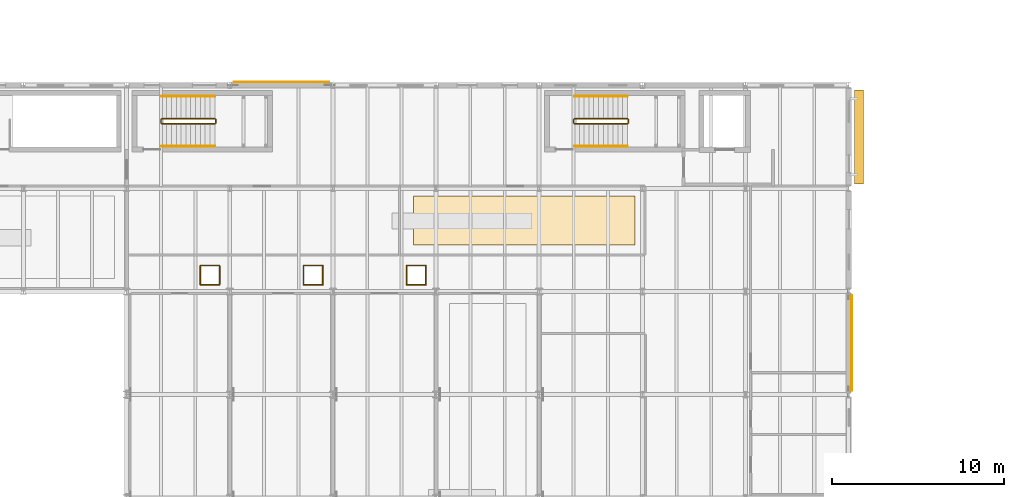
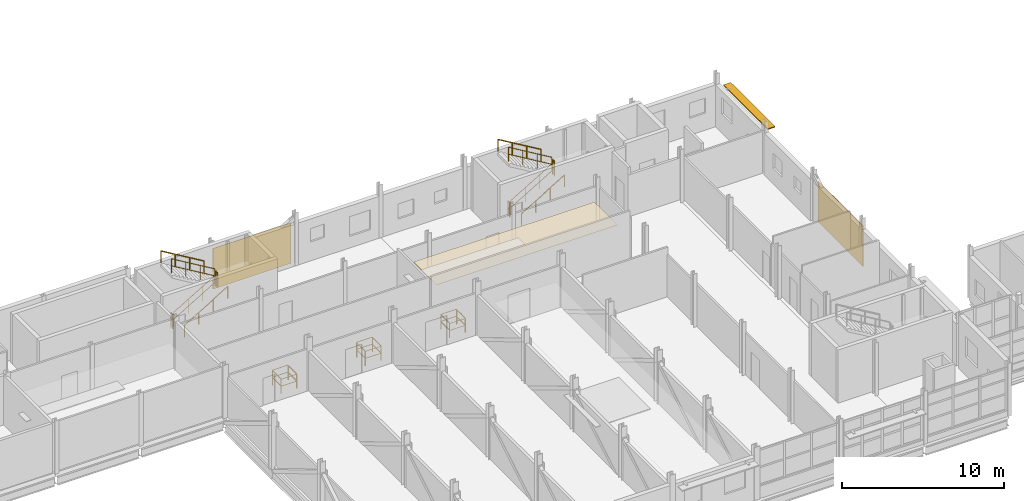
# One storey, part 87 of 92: 24 railings, 3 coverings, 1 shading device.
"""IFC4 building model written with IfcOpenShell, lengths in metres."""

from ifc_helpers import new_model, si_unit, direction, frame, origin, origin_2d, place, context, subcontext, project, spatial, polyline, rectangle, circle, outline, extrude, material, layer, layer_set, type_object, element, save


model = new_model("IFC4")

# Units and contexts
model_context = context("Model", 3, precision=1e-05, world=origin(), true_north=direction((0.0, 1.0)))
body_context = subcontext(model_context, "Body", "Model", "MODEL_VIEW")
ifc_project = project(units=[si_unit("LENGTHUNIT", "METRE"), si_unit("AREAUNIT", "SQUARE_METRE"), si_unit("VOLUMEUNIT", "CUBIC_METRE"), si_unit("PLANEANGLEUNIT", "RADIAN"), si_unit("MASSUNIT", "GRAM", prefix="KILO")], contexts=[model_context])

# Site, building, storey
site_placement = place(None, origin())
site = spatial("IfcSite", under=ifc_project, at=site_placement, CompositionType="ELEMENT")
building_placement = place(site_placement, origin())
building = spatial("IfcBuilding", under=site, at=building_placement, Name="Siltcreek Boulevard Central Fire Station", CompositionType="ELEMENT")
storey_placement = place(building_placement, frame((0.0, 0.0, 6.0)))
storey = spatial("IfcBuildingStorey", under=building, at=storey_placement, Name="L02", CompositionType="ELEMENT", Elevation=6.0)

# Coverings
ifc_material_1 = material(Name="Mineral-fiber acoustic ceiling tile", Category="gypsum")
ifc_layer_1 = layer(ifc_material_1, 0.02490234375, Name="Mineral-fiber acoustic ceiling tile")
ifc_layer_set_1 = layer_set([ifc_layer_1], Name="Mineral-fiber acoustic ceiling tile")
covering_type_1 = type_object("IfcCoveringType", Name="COV_CEIL_ACT", PredefinedType="CEILING", material=ifc_layer_set_1)
covering_1_placement = place(storey_placement, frame((0.0, 0.0, 2.419921875)))
element("IfcCovering", 1, at=covering_1_placement, inside=storey, type_object=covering_type_1, Name="L02 Company Tactical Training Room acoustic ceiling ACT-015", PredefinedType="CEILING", context=body_context, shape_type="SweptSolid", body=[
    extrude(outline(polyline([(82.699951171875, 44.699951171875), (95.580078125, 44.699951171875), (95.580078125, 47.550048828125), (82.699951171875, 47.550048828125), (82.699951171875, 44.699951171875)])), origin(), (0.0, 0.0, 1.0), 0.025146484375),
])
ifc_material_2 = material(Name="Crisp white ribbed aluminum facade panel", Category="aluminium")
ifc_layer_2 = layer(ifc_material_2, 0.0400390625, Name="Crisp white ribbed aluminum facade panel")
ifc_layer_set_2 = layer_set([ifc_layer_2], Name="Crisp white ribbed aluminum facade panel")
covering_type_2 = type_object("IfcCoveringType", Name="COV_CLAD_WHITE", PredefinedType="CLADDING", material=ifc_layer_set_2)
covering_2_placement = place(storey_placement, frame((75.0, 54.177978515625, 0.0498046875), z_axis=(0.0, 0.0, 1.0), x_axis=(-1.0, 0.0, 0.0)))
element("IfcCovering", 2, at=covering_2_placement, inside=storey, type_object=covering_type_2, Name="L02 V2 ventilated facade cladding panel CL-004", PredefinedType="CLADDING", context=body_context, shape_type="SweptSolid", body=[
    extrude(rectangle(XDim=5.550048828125, YDim=0.0400390625, at=origin_2d()), origin(), (0.0, 0.0, 1.0), 3.052978515625),
])
covering_3_placement = place(storey_placement, frame((108.177978515625, 39.0, 0.05029296875), z_axis=(0.0, 0.0, 1.0), x_axis=(0.0, 1.0, 0.0)))
element("IfcCovering", 3, at=covering_3_placement, inside=storey, type_object=covering_type_2, Name="L02 V2 ventilated facade cladding panel CL-005", PredefinedType="CLADDING", context=body_context, shape_type="SweptSolid", body=[
    extrude(rectangle(XDim=5.550048828125, YDim=0.0400390625, at=origin_2d()), origin(), (0.0, 0.0, 1.0), 3.056884765625),
])

# Railings
ifc_material_3 = material(Name="Painted galvanized steel stair guard", Category="steel")
railing_type_1 = type_object("IfcRailingType", Name="RL_ST_GUARD", PredefinedType="BALUSTRADE", material=ifc_material_3)
railing_1_placement = place(storey_placement, frame((92.050048828125, 51.75, 0.166748046875)))
element("IfcRailing", 4, at=railing_1_placement, inside=storey, type_object=railing_type_1, Name="L02 ST-V2A stair guard 1", PredefinedType="BALUSTRADE", context=body_context, shape_type="SweptSolid", body=[
    extrude(circle(Radius=0.02392578125, at=origin_2d()), frame((0.0, 0.0, 1.076171875), z_axis=(0.859290745958, 0.0, 0.51148745235), x_axis=(0.0, 1.0, 0.0)), (0.0, 0.0, 1.0), 3.584228515625),
    extrude(circle(Radius=0.02392578125, at=origin_2d()), frame((0.0, 0.0, 0.550048828125), z_axis=(0.859290745958, 0.0, 0.51148745235), x_axis=(0.0, 1.0, 0.0)), (0.0, 0.0, 1.0), 3.584228515625),
    extrude(circle(Radius=0.02099609375, at=origin_2d()), origin(), (0.0, 0.0, 1.0), 1.052001953125),
    extrude(circle(Radius=0.02099609375, at=origin_2d()), frame((1.026611328125, 0.0, 0.611083984375)), (0.0, 0.0, 1.0), 1.052001953125),
    extrude(circle(Radius=0.02099609375, at=origin_2d()), frame((2.05322265625, 0.0, 1.22216796875)), (0.0, 0.0, 1.0), 1.052001953125),
    extrude(circle(Radius=0.02099609375, at=origin_2d()), frame((3.079833984375, 0.0, 1.833251953125)), (0.0, 0.0, 1.0), 1.052001953125),
])
railing_2_placement = place(storey_placement, frame((95.179931640625, 51.800048828125, 2.0)))
element("IfcRailing", 5, at=railing_2_placement, inside=storey, type_object=railing_type_1, Name="L02 ST-V2A stair guard 2", PredefinedType="BALUSTRADE", context=body_context, shape_type="SweptSolid", body=[
    extrude(circle(Radius=0.02392578125, at=origin_2d()), frame((0.0, 0.0, 1.076171875), z_axis=(0.0, 1.0, 0.0), x_axis=(-1.0, 0.0, 0.0)), (0.0, 0.0, 1.0), 0.199951171875),
    extrude(circle(Radius=0.02392578125, at=origin_2d()), frame((0.0, 0.0, 0.550048828125), z_axis=(0.0, 1.0, 0.0), x_axis=(-1.0, 0.0, 0.0)), (0.0, 0.0, 1.0), 0.199951171875),
    extrude(circle(Radius=0.02099609375, at=origin_2d()), origin(), (0.0, 0.0, 1.0), 1.052001953125),
    extrude(circle(Radius=0.02099609375, at=origin_2d()), frame((0.0, 0.199951171875, 0.0)), (0.0, 0.0, 1.0), 1.052001953125),
])
railing_3_placement = place(storey_placement, frame((95.1298828125, 52.050048828125, 2.166748046875)))
element("IfcRailing", 6, at=railing_3_placement, inside=storey, type_object=railing_type_1, Name="L02 ST-V2A stair guard 3", PredefinedType="BALUSTRADE", context=body_context, shape_type="SweptSolid", body=[
    extrude(circle(Radius=0.02392578125, at=origin_2d()), frame((0.0, 0.0, 1.076171875), z_axis=(-0.859290745958, 0.0, 0.51148745235), x_axis=(0.0, -1.0, 0.0)), (0.0, 0.0, 1.0), 3.584228515625),
    extrude(circle(Radius=0.02392578125, at=origin_2d()), frame((0.0, 0.0, 0.550048828125), z_axis=(-0.859290745958, 0.0, 0.51148745235), x_axis=(0.0, -1.0, 0.0)), (0.0, 0.0, 1.0), 3.584228515625),
    extrude(circle(Radius=0.02099609375, at=origin_2d()), origin(), (0.0, 0.0, 1.0), 1.052001953125),
    extrude(circle(Radius=0.02099609375, at=origin_2d()), frame((-1.026611328125, 0.0, 0.611083984375)), (0.0, 0.0, 1.0), 1.052001953125),
    extrude(circle(Radius=0.02099609375, at=origin_2d()), frame((-2.05322265625, 0.0, 1.22216796875)), (0.0, 0.0, 1.0), 1.052001953125),
    extrude(circle(Radius=0.02099609375, at=origin_2d()), frame((-3.079833984375, 0.0, 1.833251953125)), (0.0, 0.0, 1.0), 1.052001953125),
])
railing_4_placement = place(storey_placement, frame((92.0, 51.800048828125, 0.0)))
element("IfcRailing", 7, at=railing_4_placement, inside=storey, type_object=railing_type_1, Name="L02 ST-V2A stair guard 4", PredefinedType="BALUSTRADE", context=body_context, shape_type="SweptSolid", body=[
    extrude(circle(Radius=0.02392578125, at=origin_2d()), frame((0.0, 0.0, 1.076171875), z_axis=(0.0, 1.0, 0.0), x_axis=(-1.0, 0.0, 0.0)), (0.0, 0.0, 1.0), 0.199951171875),
    extrude(circle(Radius=0.02392578125, at=origin_2d()), frame((0.0, 0.0, 0.550048828125), z_axis=(0.0, 1.0, 0.0), x_axis=(-1.0, 0.0, 0.0)), (0.0, 0.0, 1.0), 0.199951171875),
    extrude(circle(Radius=0.02099609375, at=origin_2d()), origin(), (0.0, 0.0, 1.0), 1.052001953125),
    extrude(circle(Radius=0.02099609375, at=origin_2d()), frame((0.0, 0.199951171875, 0.0)), (0.0, 0.0, 1.0), 1.052001953125),
])
railing_5_placement = place(storey_placement, frame((68.050048828125, 51.75, 0.166748046875)))
element("IfcRailing", 8, at=railing_5_placement, inside=storey, type_object=railing_type_1, Name="L02 ST-V2C stair guard 1", PredefinedType="BALUSTRADE", context=body_context, shape_type="SweptSolid", body=[
    extrude(circle(Radius=0.02392578125, at=origin_2d()), frame((0.0, 0.0, 1.076171875), z_axis=(0.859290745958, 0.0, 0.51148745235), x_axis=(0.0, 1.0, 0.0)), (0.0, 0.0, 1.0), 3.584228515625),
    extrude(circle(Radius=0.02392578125, at=origin_2d()), frame((0.0, 0.0, 0.550048828125), z_axis=(0.859290745958, 0.0, 0.51148745235), x_axis=(0.0, 1.0, 0.0)), (0.0, 0.0, 1.0), 3.584228515625),
    extrude(circle(Radius=0.02099609375, at=origin_2d()), origin(), (0.0, 0.0, 1.0), 1.052001953125),
    extrude(circle(Radius=0.02099609375, at=origin_2d()), frame((1.026611328125, 0.0, 0.611083984375)), (0.0, 0.0, 1.0), 1.052001953125),
    extrude(circle(Radius=0.02099609375, at=origin_2d()), frame((2.05322265625, 0.0, 1.22216796875)), (0.0, 0.0, 1.0), 1.052001953125),
    extrude(circle(Radius=0.02099609375, at=origin_2d()), frame((3.079833984375, 0.0, 1.833251953125)), (0.0, 0.0, 1.0), 1.052001953125),
])
railing_6_placement = place(storey_placement, frame((71.179931640625, 51.800048828125, 2.0)))
element("IfcRailing", 9, at=railing_6_placement, inside=storey, type_object=railing_type_1, Name="L02 ST-V2C stair guard 2", PredefinedType="BALUSTRADE", context=body_context, shape_type="SweptSolid", body=[
    extrude(circle(Radius=0.02392578125, at=origin_2d()), frame((0.0, 0.0, 1.076171875), z_axis=(0.0, 1.0, 0.0), x_axis=(-1.0, 0.0, 0.0)), (0.0, 0.0, 1.0), 0.199951171875),
    extrude(circle(Radius=0.02392578125, at=origin_2d()), frame((0.0, 0.0, 0.550048828125), z_axis=(0.0, 1.0, 0.0), x_axis=(-1.0, 0.0, 0.0)), (0.0, 0.0, 1.0), 0.199951171875),
    extrude(circle(Radius=0.02099609375, at=origin_2d()), origin(), (0.0, 0.0, 1.0), 1.052001953125),
    extrude(circle(Radius=0.02099609375, at=origin_2d()), frame((0.0, 0.199951171875, 0.0)), (0.0, 0.0, 1.0), 1.052001953125),
])
railing_7_placement = place(storey_placement, frame((71.1298828125, 52.050048828125, 2.166748046875)))
element("IfcRailing", 10, at=railing_7_placement, inside=storey, type_object=railing_type_1, Name="L02 ST-V2C stair guard 3", PredefinedType="BALUSTRADE", context=body_context, shape_type="SweptSolid", body=[
    extrude(circle(Radius=0.02392578125, at=origin_2d()), frame((0.0, 0.0, 1.076171875), z_axis=(-0.859290745958, 0.0, 0.51148745235), x_axis=(0.0, -1.0, 0.0)), (0.0, 0.0, 1.0), 3.584228515625),
    extrude(circle(Radius=0.02392578125, at=origin_2d()), frame((0.0, 0.0, 0.550048828125), z_axis=(-0.859290745958, 0.0, 0.51148745235), x_axis=(0.0, -1.0, 0.0)), (0.0, 0.0, 1.0), 3.584228515625),
    extrude(circle(Radius=0.02099609375, at=origin_2d()), origin(), (0.0, 0.0, 1.0), 1.052001953125),
    extrude(circle(Radius=0.02099609375, at=origin_2d()), frame((-1.026611328125, 0.0, 0.611083984375)), (0.0, 0.0, 1.0), 1.052001953125),
    extrude(circle(Radius=0.02099609375, at=origin_2d()), frame((-2.05322265625, 0.0, 1.22216796875)), (0.0, 0.0, 1.0), 1.052001953125),
    extrude(circle(Radius=0.02099609375, at=origin_2d()), frame((-3.079833984375, 0.0, 1.833251953125)), (0.0, 0.0, 1.0), 1.052001953125),
])
railing_8_placement = place(storey_placement, frame((68.0, 51.800048828125, 0.0)))
element("IfcRailing", 11, at=railing_8_placement, inside=storey, type_object=railing_type_1, Name="L02 ST-V2C stair guard 4", PredefinedType="BALUSTRADE", context=body_context, shape_type="SweptSolid", body=[
    extrude(circle(Radius=0.02392578125, at=origin_2d()), frame((0.0, 0.0, 1.076171875), z_axis=(0.0, 1.0, 0.0), x_axis=(-1.0, 0.0, 0.0)), (0.0, 0.0, 1.0), 0.199951171875),
    extrude(circle(Radius=0.02392578125, at=origin_2d()), frame((0.0, 0.0, 0.550048828125), z_axis=(0.0, 1.0, 0.0), x_axis=(-1.0, 0.0, 0.0)), (0.0, 0.0, 1.0), 0.199951171875),
    extrude(circle(Radius=0.02099609375, at=origin_2d()), origin(), (0.0, 0.0, 1.0), 1.052001953125),
    extrude(circle(Radius=0.02099609375, at=origin_2d()), frame((0.0, 0.199951171875, 0.0)), (0.0, 0.0, 1.0), 1.052001953125),
])
ifc_material_4 = material(Name="Brushed stainless steel stair handrail", Category="steel")
railing_type_2 = type_object("IfcRailingType", Name="RL_ST_HAND", PredefinedType="HANDRAIL", material=ifc_material_4)
railing_9_placement = place(storey_placement, frame((92.050048828125, 50.449951171875, 0.166748046875)))
element("IfcRailing", 12, at=railing_9_placement, inside=storey, type_object=railing_type_2, Name="L02 ST-V2A stair handrail 1", PredefinedType="HANDRAIL", context=body_context, shape_type="SweptSolid", body=[
    extrude(circle(Radius=0.02392578125, at=origin_2d()), frame((0.0, 0.0, 0.8759765625), z_axis=(0.859290745958, 0.0, 0.51148745235), x_axis=(0.0, 1.0, 0.0)), (0.0, 0.0, 1.0), 3.584228515625),
    extrude(circle(Radius=0.02099609375, at=origin_2d()), origin(), (0.0, 0.0, 1.0), 0.851806640625),
    extrude(circle(Radius=0.02099609375, at=origin_2d()), frame((1.026611328125, 0.0, 0.611083984375)), (0.0, 0.0, 1.0), 0.851806640625),
    extrude(circle(Radius=0.02099609375, at=origin_2d()), frame((2.05322265625, 0.0, 1.22216796875)), (0.0, 0.0, 1.0), 0.851806640625),
    extrude(circle(Radius=0.02099609375, at=origin_2d()), frame((3.079833984375, 0.0, 1.833251953125)), (0.0, 0.0, 1.0), 0.851806640625),
])
railing_10_placement = place(storey_placement, frame((95.1298828125, 53.35009765625, 2.166748046875)))
element("IfcRailing", 13, at=railing_10_placement, inside=storey, type_object=railing_type_2, Name="L02 ST-V2A stair handrail 2", PredefinedType="HANDRAIL", context=body_context, shape_type="SweptSolid", body=[
    extrude(circle(Radius=0.02392578125, at=origin_2d()), frame((0.0, 0.0, 0.8759765625), z_axis=(-0.859290745958, 0.0, 0.51148745235), x_axis=(0.0, -1.0, 0.0)), (0.0, 0.0, 1.0), 3.584228515625),
    extrude(circle(Radius=0.02099609375, at=origin_2d()), origin(), (0.0, 0.0, 1.0), 0.851806640625),
    extrude(circle(Radius=0.02099609375, at=origin_2d()), frame((-1.026611328125, 0.0, 0.611083984375)), (0.0, 0.0, 1.0), 0.851806640625),
    extrude(circle(Radius=0.02099609375, at=origin_2d()), frame((-2.05322265625, 0.0, 1.22216796875)), (0.0, 0.0, 1.0), 0.851806640625),
    extrude(circle(Radius=0.02099609375, at=origin_2d()), frame((-3.079833984375, 0.0, 1.833251953125)), (0.0, 0.0, 1.0), 0.851806640625),
])
railing_11_placement = place(storey_placement, frame((68.050048828125, 50.449951171875, 0.166748046875)))
element("IfcRailing", 14, at=railing_11_placement, inside=storey, type_object=railing_type_2, Name="L02 ST-V2C stair handrail 1", PredefinedType="HANDRAIL", context=body_context, shape_type="SweptSolid", body=[
    extrude(circle(Radius=0.02392578125, at=origin_2d()), frame((0.0, 0.0, 0.8759765625), z_axis=(0.859290745958, 0.0, 0.51148745235), x_axis=(0.0, 1.0, 0.0)), (0.0, 0.0, 1.0), 3.584228515625),
    extrude(circle(Radius=0.02099609375, at=origin_2d()), origin(), (0.0, 0.0, 1.0), 0.851806640625),
    extrude(circle(Radius=0.02099609375, at=origin_2d()), frame((1.026611328125, 0.0, 0.611083984375)), (0.0, 0.0, 1.0), 0.851806640625),
    extrude(circle(Radius=0.02099609375, at=origin_2d()), frame((2.05322265625, 0.0, 1.22216796875)), (0.0, 0.0, 1.0), 0.851806640625),
    extrude(circle(Radius=0.02099609375, at=origin_2d()), frame((3.079833984375, 0.0, 1.833251953125)), (0.0, 0.0, 1.0), 0.851806640625),
])
railing_12_placement = place(storey_placement, frame((71.1298828125, 53.35009765625, 2.166748046875)))
element("IfcRailing", 15, at=railing_12_placement, inside=storey, type_object=railing_type_2, Name="L02 ST-V2C stair handrail 2", PredefinedType="HANDRAIL", context=body_context, shape_type="SweptSolid", body=[
    extrude(circle(Radius=0.02392578125, at=origin_2d()), frame((0.0, 0.0, 0.8759765625), z_axis=(-0.859290745958, 0.0, 0.51148745235), x_axis=(0.0, -1.0, 0.0)), (0.0, 0.0, 1.0), 3.584228515625),
    extrude(circle(Radius=0.02099609375, at=origin_2d()), origin(), (0.0, 0.0, 1.0), 0.851806640625),
    extrude(circle(Radius=0.02099609375, at=origin_2d()), frame((-1.026611328125, 0.0, 0.611083984375)), (0.0, 0.0, 1.0), 0.851806640625),
    extrude(circle(Radius=0.02099609375, at=origin_2d()), frame((-2.05322265625, 0.0, 1.22216796875)), (0.0, 0.0, 1.0), 0.851806640625),
    extrude(circle(Radius=0.02099609375, at=origin_2d()), frame((-3.079833984375, 0.0, 1.833251953125)), (0.0, 0.0, 1.0), 0.851806640625),
])
ifc_material_5 = material(Name="Galvanized painted steel guardrail", Category="steel")
railing_type_3 = type_object("IfcRailingType", Name="RL_TER_GUARD", PredefinedType="BALUSTRADE", material=ifc_material_5)
railing_13_placement = place(storey_placement, frame((70.2900390625, 42.389892578125, 0.0)))
element("IfcRailing", 16, at=railing_13_placement, inside=storey, type_object=railing_type_3, Name="L02 brass slide-pole safety guard 1.1", PredefinedType="BALUSTRADE", context=body_context, shape_type="SweptSolid", body=[
    extrude(circle(Radius=0.02392578125, at=origin_2d()), frame((0.0, 0.0, 1.076171875), z_axis=(1.0, 0.0, 0.0), x_axis=(0.0, 1.0, 0.0)), (0.0, 0.0, 1.0), 1.119873046875),
    extrude(circle(Radius=0.02392578125, at=origin_2d()), frame((0.0, 0.0, 0.550048828125), z_axis=(1.0, 0.0, 0.0), x_axis=(0.0, 1.0, 0.0)), (0.0, 0.0, 1.0), 1.119873046875),
    extrude(circle(Radius=0.02099609375, at=origin_2d()), origin(), (0.0, 0.0, 1.0), 1.052001953125),
    extrude(circle(Radius=0.02099609375, at=origin_2d()), frame((1.119873046875, 0.0, 0.0)), (0.0, 0.0, 1.0), 1.052001953125),
])
railing_14_placement = place(storey_placement, frame((71.409912109375, 42.429931640625, 0.0)))
element("IfcRailing", 17, at=railing_14_placement, inside=storey, type_object=railing_type_3, Name="L02 brass slide-pole safety guard 1.2", PredefinedType="BALUSTRADE", context=body_context, shape_type="SweptSolid", body=[
    extrude(circle(Radius=0.02392578125, at=origin_2d()), frame((0.0, 0.0, 1.076171875), z_axis=(0.0, 1.0, 0.0), x_axis=(-1.0, 0.0, 0.0)), (0.0, 0.0, 1.0), 1.0400390625),
    extrude(circle(Radius=0.02392578125, at=origin_2d()), frame((0.0, 0.0, 0.550048828125), z_axis=(0.0, 1.0, 0.0), x_axis=(-1.0, 0.0, 0.0)), (0.0, 0.0, 1.0), 1.0400390625),
    extrude(circle(Radius=0.02099609375, at=origin_2d()), origin(), (0.0, 0.0, 1.0), 1.052001953125),
    extrude(circle(Radius=0.02099609375, at=origin_2d()), frame((0.0, 1.0400390625, 0.0)), (0.0, 0.0, 1.0), 1.052001953125),
])
railing_15_placement = place(storey_placement, frame((71.409912109375, 43.510009765625, 0.0)))
element("IfcRailing", 18, at=railing_15_placement, inside=storey, type_object=railing_type_3, Name="L02 brass slide-pole safety guard 1.3", PredefinedType="BALUSTRADE", context=body_context, shape_type="SweptSolid", body=[
    extrude(circle(Radius=0.02392578125, at=origin_2d()), frame((0.0, 0.0, 1.076171875), z_axis=(-1.0, 0.0, 0.0), x_axis=(0.0, -1.0, 0.0)), (0.0, 0.0, 1.0), 1.119873046875),
    extrude(circle(Radius=0.02392578125, at=origin_2d()), frame((0.0, 0.0, 0.550048828125), z_axis=(-1.0, 0.0, 0.0), x_axis=(0.0, -1.0, 0.0)), (0.0, 0.0, 1.0), 1.119873046875),
    extrude(circle(Radius=0.02099609375, at=origin_2d()), origin(), (0.0, 0.0, 1.0), 1.052001953125),
    extrude(circle(Radius=0.02099609375, at=origin_2d()), frame((-1.119873046875, 0.0, 0.0)), (0.0, 0.0, 1.0), 1.052001953125),
])
railing_16_placement = place(storey_placement, frame((70.2900390625, 43.469970703125, 0.0)))
element("IfcRailing", 19, at=railing_16_placement, inside=storey, type_object=railing_type_3, Name="L02 brass slide-pole safety guard 1.4", PredefinedType="BALUSTRADE", context=body_context, shape_type="SweptSolid", body=[
    extrude(circle(Radius=0.02392578125, at=origin_2d()), frame((0.0, 0.0, 1.076171875), z_axis=(0.0, -1.0, 0.0), x_axis=(1.0, 0.0, 0.0)), (0.0, 0.0, 1.0), 1.0400390625),
    extrude(circle(Radius=0.02392578125, at=origin_2d()), frame((0.0, 0.0, 0.550048828125), z_axis=(0.0, -1.0, 0.0), x_axis=(1.0, 0.0, 0.0)), (0.0, 0.0, 1.0), 1.0400390625),
    extrude(circle(Radius=0.02099609375, at=origin_2d()), origin(), (0.0, 0.0, 1.0), 1.052001953125),
    extrude(circle(Radius=0.02099609375, at=origin_2d()), frame((0.0, -1.0400390625, 0.0)), (0.0, 0.0, 1.0), 1.052001953125),
])
railing_17_placement = place(storey_placement, frame((76.2900390625, 42.389892578125, 0.0)))
element("IfcRailing", 20, at=railing_17_placement, inside=storey, type_object=railing_type_3, Name="L02 brass slide-pole safety guard 2.1", PredefinedType="BALUSTRADE", context=body_context, shape_type="SweptSolid", body=[
    extrude(circle(Radius=0.02392578125, at=origin_2d()), frame((0.0, 0.0, 1.076171875), z_axis=(1.0, 0.0, 0.0), x_axis=(0.0, 1.0, 0.0)), (0.0, 0.0, 1.0), 1.119873046875),
    extrude(circle(Radius=0.02392578125, at=origin_2d()), frame((0.0, 0.0, 0.550048828125), z_axis=(1.0, 0.0, 0.0), x_axis=(0.0, 1.0, 0.0)), (0.0, 0.0, 1.0), 1.119873046875),
    extrude(circle(Radius=0.02099609375, at=origin_2d()), origin(), (0.0, 0.0, 1.0), 1.052001953125),
    extrude(circle(Radius=0.02099609375, at=origin_2d()), frame((1.119873046875, 0.0, 0.0)), (0.0, 0.0, 1.0), 1.052001953125),
])
railing_18_placement = place(storey_placement, frame((77.409912109375, 42.429931640625, 0.0)))
element("IfcRailing", 21, at=railing_18_placement, inside=storey, type_object=railing_type_3, Name="L02 brass slide-pole safety guard 2.2", PredefinedType="BALUSTRADE", context=body_context, shape_type="SweptSolid", body=[
    extrude(circle(Radius=0.02392578125, at=origin_2d()), frame((0.0, 0.0, 1.076171875), z_axis=(0.0, 1.0, 0.0), x_axis=(-1.0, 0.0, 0.0)), (0.0, 0.0, 1.0), 1.0400390625),
    extrude(circle(Radius=0.02392578125, at=origin_2d()), frame((0.0, 0.0, 0.550048828125), z_axis=(0.0, 1.0, 0.0), x_axis=(-1.0, 0.0, 0.0)), (0.0, 0.0, 1.0), 1.0400390625),
    extrude(circle(Radius=0.02099609375, at=origin_2d()), origin(), (0.0, 0.0, 1.0), 1.052001953125),
    extrude(circle(Radius=0.02099609375, at=origin_2d()), frame((0.0, 1.0400390625, 0.0)), (0.0, 0.0, 1.0), 1.052001953125),
])
railing_19_placement = place(storey_placement, frame((77.409912109375, 43.510009765625, 0.0)))
element("IfcRailing", 22, at=railing_19_placement, inside=storey, type_object=railing_type_3, Name="L02 brass slide-pole safety guard 2.3", PredefinedType="BALUSTRADE", context=body_context, shape_type="SweptSolid", body=[
    extrude(circle(Radius=0.02392578125, at=origin_2d()), frame((0.0, 0.0, 1.076171875), z_axis=(-1.0, 0.0, 0.0), x_axis=(0.0, -1.0, 0.0)), (0.0, 0.0, 1.0), 1.119873046875),
    extrude(circle(Radius=0.02392578125, at=origin_2d()), frame((0.0, 0.0, 0.550048828125), z_axis=(-1.0, 0.0, 0.0), x_axis=(0.0, -1.0, 0.0)), (0.0, 0.0, 1.0), 1.119873046875),
    extrude(circle(Radius=0.02099609375, at=origin_2d()), origin(), (0.0, 0.0, 1.0), 1.052001953125),
    extrude(circle(Radius=0.02099609375, at=origin_2d()), frame((-1.119873046875, 0.0, 0.0)), (0.0, 0.0, 1.0), 1.052001953125),
])
railing_20_placement = place(storey_placement, frame((76.2900390625, 43.469970703125, 0.0)))
element("IfcRailing", 23, at=railing_20_placement, inside=storey, type_object=railing_type_3, Name="L02 brass slide-pole safety guard 2.4", PredefinedType="BALUSTRADE", context=body_context, shape_type="SweptSolid", body=[
    extrude(circle(Radius=0.02392578125, at=origin_2d()), frame((0.0, 0.0, 1.076171875), z_axis=(0.0, -1.0, 0.0), x_axis=(1.0, 0.0, 0.0)), (0.0, 0.0, 1.0), 1.0400390625),
    extrude(circle(Radius=0.02392578125, at=origin_2d()), frame((0.0, 0.0, 0.550048828125), z_axis=(0.0, -1.0, 0.0), x_axis=(1.0, 0.0, 0.0)), (0.0, 0.0, 1.0), 1.0400390625),
    extrude(circle(Radius=0.02099609375, at=origin_2d()), origin(), (0.0, 0.0, 1.0), 1.052001953125),
    extrude(circle(Radius=0.02099609375, at=origin_2d()), frame((0.0, -1.0400390625, 0.0)), (0.0, 0.0, 1.0), 1.052001953125),
])
railing_21_placement = place(storey_placement, frame((82.2900390625, 42.389892578125, 0.0)))
element("IfcRailing", 24, at=railing_21_placement, inside=storey, type_object=railing_type_3, Name="L02 brass slide-pole safety guard 3.1", PredefinedType="BALUSTRADE", context=body_context, shape_type="SweptSolid", body=[
    extrude(circle(Radius=0.02392578125, at=origin_2d()), frame((0.0, 0.0, 1.076171875), z_axis=(1.0, 0.0, 0.0), x_axis=(0.0, 1.0, 0.0)), (0.0, 0.0, 1.0), 1.119873046875),
    extrude(circle(Radius=0.02392578125, at=origin_2d()), frame((0.0, 0.0, 0.550048828125), z_axis=(1.0, 0.0, 0.0), x_axis=(0.0, 1.0, 0.0)), (0.0, 0.0, 1.0), 1.119873046875),
    extrude(circle(Radius=0.02099609375, at=origin_2d()), origin(), (0.0, 0.0, 1.0), 1.052001953125),
    extrude(circle(Radius=0.02099609375, at=origin_2d()), frame((1.119873046875, 0.0, 0.0)), (0.0, 0.0, 1.0), 1.052001953125),
])
railing_22_placement = place(storey_placement, frame((83.409912109375, 42.429931640625, 0.0)))
element("IfcRailing", 25, at=railing_22_placement, inside=storey, type_object=railing_type_3, Name="L02 brass slide-pole safety guard 3.2", PredefinedType="BALUSTRADE", context=body_context, shape_type="SweptSolid", body=[
    extrude(circle(Radius=0.02392578125, at=origin_2d()), frame((0.0, 0.0, 1.076171875), z_axis=(0.0, 1.0, 0.0), x_axis=(-1.0, 0.0, 0.0)), (0.0, 0.0, 1.0), 1.0400390625),
    extrude(circle(Radius=0.02392578125, at=origin_2d()), frame((0.0, 0.0, 0.550048828125), z_axis=(0.0, 1.0, 0.0), x_axis=(-1.0, 0.0, 0.0)), (0.0, 0.0, 1.0), 1.0400390625),
    extrude(circle(Radius=0.02099609375, at=origin_2d()), origin(), (0.0, 0.0, 1.0), 1.052001953125),
    extrude(circle(Radius=0.02099609375, at=origin_2d()), frame((0.0, 1.0400390625, 0.0)), (0.0, 0.0, 1.0), 1.052001953125),
])
railing_23_placement = place(storey_placement, frame((83.409912109375, 43.510009765625, 0.0)))
element("IfcRailing", 26, at=railing_23_placement, inside=storey, type_object=railing_type_3, Name="L02 brass slide-pole safety guard 3.3", PredefinedType="BALUSTRADE", context=body_context, shape_type="SweptSolid", body=[
    extrude(circle(Radius=0.02392578125, at=origin_2d()), frame((0.0, 0.0, 1.076171875), z_axis=(-1.0, 0.0, 0.0), x_axis=(0.0, -1.0, 0.0)), (0.0, 0.0, 1.0), 1.119873046875),
    extrude(circle(Radius=0.02392578125, at=origin_2d()), frame((0.0, 0.0, 0.550048828125), z_axis=(-1.0, 0.0, 0.0), x_axis=(0.0, -1.0, 0.0)), (0.0, 0.0, 1.0), 1.119873046875),
    extrude(circle(Radius=0.02099609375, at=origin_2d()), origin(), (0.0, 0.0, 1.0), 1.052001953125),
    extrude(circle(Radius=0.02099609375, at=origin_2d()), frame((-1.119873046875, 0.0, 0.0)), (0.0, 0.0, 1.0), 1.052001953125),
])
railing_24_placement = place(storey_placement, frame((82.2900390625, 43.469970703125, 0.0)))
element("IfcRailing", 27, at=railing_24_placement, inside=storey, type_object=railing_type_3, Name="L02 brass slide-pole safety guard 3.4", PredefinedType="BALUSTRADE", context=body_context, shape_type="SweptSolid", body=[
    extrude(circle(Radius=0.02392578125, at=origin_2d()), frame((0.0, 0.0, 1.076171875), z_axis=(0.0, -1.0, 0.0), x_axis=(1.0, 0.0, 0.0)), (0.0, 0.0, 1.0), 1.0400390625),
    extrude(circle(Radius=0.02392578125, at=origin_2d()), frame((0.0, 0.0, 0.550048828125), z_axis=(0.0, -1.0, 0.0), x_axis=(1.0, 0.0, 0.0)), (0.0, 0.0, 1.0), 1.0400390625),
    extrude(circle(Radius=0.02099609375, at=origin_2d()), origin(), (0.0, 0.0, 1.0), 1.052001953125),
    extrude(circle(Radius=0.02099609375, at=origin_2d()), frame((0.0, -1.0400390625, 0.0)), (0.0, 0.0, 1.0), 1.052001953125),
])

# Shading device
ifc_material_6 = material(Name="Frey sage-green anodized tubular aluminum sunshade", Category="aluminium")
ifc_layer_3 = layer(ifc_material_6, 0.080078125, Name="Frey sage-green anodized tubular aluminum sunshade")
ifc_layer_set_3 = layer_set([ifc_layer_3], Name="Frey sage-green anodized tubular aluminum sunshade")
shading_device_type = type_object("IfcShadingDeviceType", Name="SHD_BRISE", PredefinedType="USERDEFINED", material=ifc_layer_set_3)
shading_device_placement = place(storey_placement, frame((108.60009765625, 51.0, 2.97705078125), z_axis=(0.0, 0.0, 1.0), x_axis=(0.0, 1.0, 0.0)))
element("IfcShadingDevice", 28, at=shading_device_placement, inside=storey, type_object=shading_device_type, Name="Anodized tubular aluminum brise-soleil SS-023", ObjectType="SUNSHADE", PredefinedType="USERDEFINED", context=body_context, shape_type="SweptSolid", body=[
    extrude(rectangle(XDim=5.469970703125, YDim=0.52001953125, at=origin_2d()), origin(), (0.0, 0.0, 1.0), 0.080078125),
])

save(model, "model.ifc")
